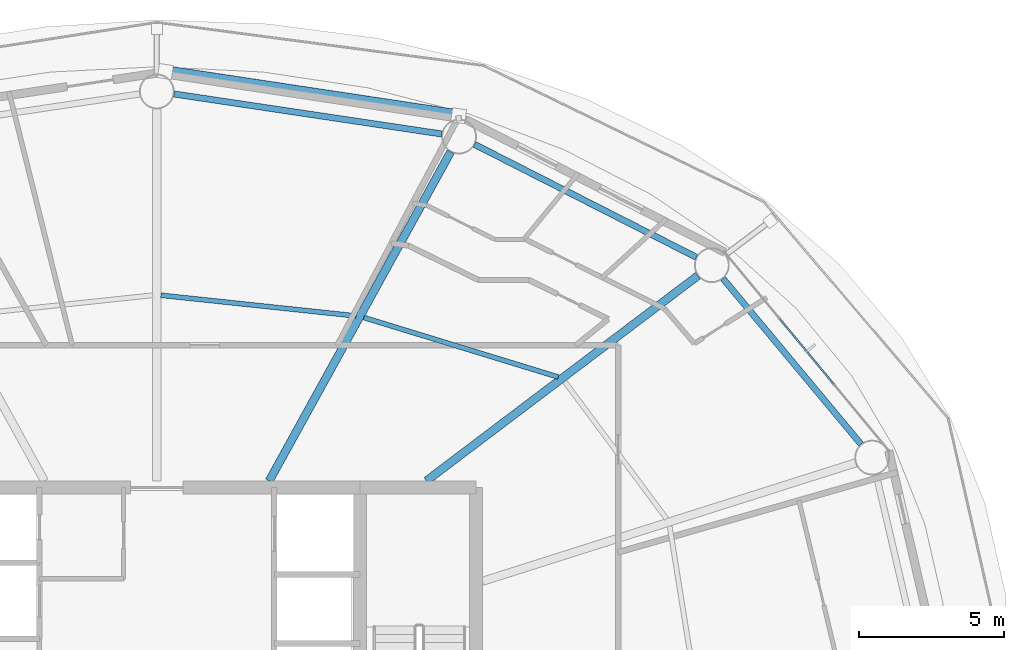
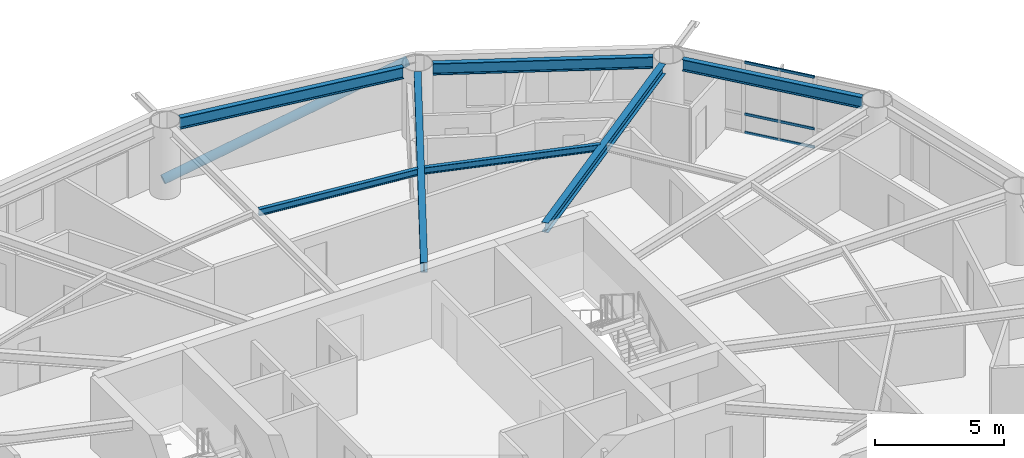
# One storey, part 14 of 27: 7 beams, 4 members, 1 element without a shape of its own.
"""IFC4 building model written with IfcOpenShell, lengths in metres."""

from ifc_helpers import new_model, si_unit, direction, frame, origin, origin_2d, place, context, subcontext, project, spatial, hollow_rectangle, hollow_circle, i_section, extrude, material, layer, layer_set, material_profile, profile_set, type_object, element, aggregate, save


model = new_model("IFC4")

# Units and contexts
model_context = context("Model", 3, precision=1e-05, world=origin(), true_north=direction((0.0, 1.0)))
body_context = subcontext(model_context, "Body", "Model", "MODEL_VIEW")
ifc_project = project(units=[si_unit("LENGTHUNIT", "METRE"), si_unit("AREAUNIT", "SQUARE_METRE"), si_unit("VOLUMEUNIT", "CUBIC_METRE"), si_unit("PLANEANGLEUNIT", "RADIAN"), si_unit("MASSUNIT", "GRAM", prefix="KILO")], contexts=[model_context])

# Site, building, storey
site_placement = place(None, origin())
site = spatial("IfcSite", under=ifc_project, at=site_placement, CompositionType="ELEMENT")
building_placement = place(site_placement, origin())
building = spatial("IfcBuilding", under=site, at=building_placement, Name="Sarneth Arch Tower", CompositionType="ELEMENT")
storey_placement = place(building_placement, frame((0.0, 0.0, 186.60009765625)))
storey = spatial("IfcBuildingStorey", under=building, at=storey_placement, Name="L47", CompositionType="ELEMENT", Elevation=186.60009765625)

# Beams
ifc_material_1 = material(Name="Steel S355", Category="steel")
ifc_material_profile_1 = material_profile(ifc_material_1, i_section(OverallWidth=0.1669921875, OverallDepth=0.31689453125, WebThickness=0.007568359375, FlangeThickness=0.01318359375, FilletRadius=0.012939453125, at=origin_2d()), Name="W310x52")
ifc_profile_set_1 = profile_set([ifc_material_profile_1], Name="Steel S355")
beam_type_1 = type_object("IfcBeamType", Name="BM-JOIST-310B", PredefinedType="JOIST", material=ifc_profile_set_1)
beam_1_placement = place(storey_placement, frame((61.84130859375, 52.602783203125, 3.221435546875), z_axis=(-0.956178669891, 0.292783796076, 0.0), x_axis=(-0.292783796076, -0.956178669891, 0.0)))
element("IfcBeam", 1, at=beam_1_placement, inside=storey, type_object=beam_type_1, Name="L47 Secondary floor joist 03", PredefinedType="JOIST", context=body_context, shape_type="SweptSolid", body=[
    extrude(i_section(OverallWidth=0.1669921875, OverallDepth=0.31689453125, WebThickness=0.007568359375, FlangeThickness=0.01318359375, FilletRadius=0.012939453125, at=origin_2d()), origin(), (0.0, 0.0, 1.0), 7.010986328125),
])
beam_2_placement = place(storey_placement, frame((54.8642578125, 54.711181640625, 3.221435546875), z_axis=(-0.994447340543, 0.105235387994, 0.0), x_axis=(-0.105235387994, -0.994447340543, 0.0)))
element("IfcBeam", 2, at=beam_2_placement, inside=storey, type_object=beam_type_1, Name="L47 Secondary floor joist 04", PredefinedType="JOIST", context=body_context, shape_type="SweptSolid", body=[
    extrude(i_section(OverallWidth=0.1669921875, OverallDepth=0.31689453125, WebThickness=0.007568359375, FlangeThickness=0.01318359375, FilletRadius=0.012939453125, at=origin_2d()), origin(), (0.0, 0.0, 1.0), 6.7626953125),
])
ifc_material_2 = material(Name="Steel S355", Category="steel")
ifc_material_profile_2 = material_profile(ifc_material_2, i_section(OverallWidth=0.280029296875, OverallDepth=0.462890625, WebThickness=0.0107421875, FlangeThickness=0.017333984375, FilletRadius=0.01806640625, at=origin_2d()), Name="W460x113")
ifc_profile_set_2 = profile_set([ifc_material_profile_2], Name="Steel S355")
beam_type_2 = type_object("IfcBeamType", Name="BM-RAD-460A", PredefinedType="BEAM", material=ifc_profile_set_2)
beam_3_placement = place(storey_placement, frame((57.29541015625, 49.02490234375, 3.1484375), z_axis=(0.797784574467, 0.602942594898, 0.0), x_axis=(-0.602942594898, 0.797784574467, 0.0)))
element("IfcBeam", 3, at=beam_3_placement, inside=storey, type_object=beam_type_2, Name="L47 Radial floor girder 03", PredefinedType="BEAM", context=body_context, shape_type="SweptSolid", body=[
    extrude(i_section(OverallWidth=0.280029296875, OverallDepth=0.462890625, WebThickness=0.0107421875, FlangeThickness=0.017333984375, FilletRadius=0.01806640625, at=origin_2d()), origin(), (0.0, 0.0, 1.0), 11.73193359375),
])
beam_4_placement = place(storey_placement, frame((51.875, 49.02490234375, 3.1484375), z_axis=(0.483010082599, 0.875614789795, 0.0), x_axis=(-0.875614789795, 0.483010082599, 0.0)))
element("IfcBeam", 4, at=beam_4_placement, inside=storey, type_object=beam_type_2, Name="L47 Radial floor girder 04", PredefinedType="BEAM", context=body_context, shape_type="SweptSolid", body=[
    extrude(i_section(OverallWidth=0.280029296875, OverallDepth=0.462890625, WebThickness=0.0107421875, FlangeThickness=0.017333984375, FilletRadius=0.01806640625, at=origin_2d()), origin(), (0.0, 0.0, 1.0), 12.954345703125),
])
ifc_material_3 = material(Name="Steel S355", Category="steel")
ifc_material_profile_3 = material_profile(ifc_material_3, i_section(OverallWidth=0.214111328125, OverallDepth=0.549072265625, WebThickness=0.0146484375, FlangeThickness=0.023681640625, FilletRadius=0.01806640625, at=origin_2d()), Name="W530x138")
ifc_profile_set_3 = profile_set([ifc_material_profile_3], Name="Steel S355")
beam_type_3 = type_object("IfcBeamType", Name="BM-RAD-530A", PredefinedType="BEAM", material=ifc_profile_set_3)
beam_5_placement = place(storey_placement, frame((72.278076171875, 50.286865234375, 3.10546875), z_axis=(-0.640161793626, 0.768240117399, 0.0), x_axis=(-0.768240117399, -0.640161793626, 0.0)))
element("IfcBeam", 5, at=beam_5_placement, inside=storey, type_object=beam_type_3, Name="L47 Perimeter spandrel beam 02", PredefinedType="BEAM", context=body_context, shape_type="SweptSolid", body=[
    extrude(i_section(OverallWidth=0.214111328125, OverallDepth=0.549072265625, WebThickness=0.0146484375, FlangeThickness=0.023681640625, FilletRadius=0.01806640625, at=origin_2d()), origin(), (0.0, 0.0, 1.0), 7.43603515625),
])
beam_6_placement = place(storey_placement, frame((66.59912109375, 56.732421875, 3.10546875), z_axis=(-0.891250372735, 0.453511601945, 0.0), x_axis=(-0.453511601945, -0.891250372735, 0.0)))
element("IfcBeam", 6, at=beam_6_placement, inside=storey, type_object=beam_type_3, Name="L47 Perimeter spandrel beam 03", PredefinedType="BEAM", context=body_context, shape_type="SweptSolid", body=[
    extrude(i_section(OverallWidth=0.214111328125, OverallDepth=0.549072265625, WebThickness=0.0146484375, FlangeThickness=0.023681640625, FilletRadius=0.01806640625, at=origin_2d()), origin(), (0.0, 0.0, 1.0), 8.5751953125),
])
beam_7_placement = place(storey_placement, frame((57.828369140625, 60.98193359375, 3.10546875), z_axis=(-0.98902783755, 0.147729267756, 0.0), x_axis=(-0.147729267756, -0.98902783755, 0.0)))
element("IfcBeam", 7, at=beam_7_placement, inside=storey, type_object=beam_type_3, Name="L47 Perimeter spandrel beam 04", PredefinedType="BEAM", context=body_context, shape_type="SweptSolid", body=[
    extrude(i_section(OverallWidth=0.214111328125, OverallDepth=0.549072265625, WebThickness=0.0146484375, FlangeThickness=0.023681640625, FilletRadius=0.01806640625, at=origin_2d()), origin(), (0.0, 0.0, 1.0), 9.33740234375),
])

# Curtain wall, members
ifc_material_4 = material(Name="Anodised aluminium Type AA25 and solar-control low-e laminated IGU", Category="aluminium")
ifc_layer = layer(ifc_material_4, 0.169921875)
ifc_layer_set = layer_set([ifc_layer], Name="Anodised aluminium Type AA25 and solar-control low-e laminated IGU")
curtain_wall_type = type_object("IfcCurtainWallType", Name="CW-RES-MID", PredefinedType="NOTDEFINED", material=ifc_layer_set)
curtain_wall_placement = place(storey_placement, origin())
curtain_wall = element("IfcCurtainWall", 8, at=curtain_wall_placement, inside=storey, type_object=curtain_wall_type, Name="L47 Unitised curtain wall facet 02", PredefinedType="NOTDEFINED")
ifc_material_5 = material(Name="Anodised Aluminium 6063-T6", Category="aluminium")
ifc_material_profile_4 = material_profile(ifc_material_5, hollow_rectangle(XDim=0.06005859375, YDim=0.1201171875, WallThickness=0.00390625, at=origin_2d()), Name="AL-TRAN-120x60x4")
ifc_profile_set_4 = profile_set([ifc_material_profile_4], Name="Anodised Aluminium 6063-T6")
member_type_1 = type_object("IfcMemberType", Name="CW-TRANSOM", PredefinedType="USERDEFINED", material=ifc_profile_set_4)
member_1_placement = place(storey_placement, frame((71.327880859375, 52.36962890625, 0.02978515625), z_axis=(-0.637329777791, 0.770591171985, 0.0), x_axis=(-0.770591171985, -0.637329777791, 0.0)))
member_1 = element("IfcMember", 9, at=member_1_placement, type_object=member_type_1, Name="CW-SYS-5 transom 2.1", ObjectType="TRANSOM", PredefinedType="USERDEFINED", context=body_context, shape_type="SweptSolid", body=[
    extrude(hollow_rectangle(XDim=0.06005859375, YDim=0.1201171875, WallThickness=0.00390625, at=origin_2d()), origin(), (0.0, 0.0, 1.0), 2.898193359375),
])
member_2_placement = place(storey_placement, frame((71.327880859375, 52.36962890625, 0.89990234375), z_axis=(-0.637329777791, 0.770591171985, 0.0), x_axis=(-0.770591171985, -0.637329777791, 0.0)))
member_2 = element("IfcMember", 10, at=member_2_placement, type_object=member_type_1, Name="CW-SYS-5 transom 2.2", ObjectType="TRANSOM", PredefinedType="USERDEFINED", context=body_context, shape_type="SweptSolid", body=[
    extrude(hollow_rectangle(XDim=0.06005859375, YDim=0.1201171875, WallThickness=0.00390625, at=origin_2d()), origin(), (0.0, 0.0, 1.0), 2.898193359375),
])
member_3_placement = place(storey_placement, frame((71.327880859375, 52.36962890625, 3.349853515625), z_axis=(-0.637329777791, 0.770591171985, 0.0), x_axis=(-0.770591171985, -0.637329777791, 0.0)))
member_3 = element("IfcMember", 11, at=member_3_placement, type_object=member_type_1, Name="CW-SYS-5 transom 2.3", ObjectType="TRANSOM", PredefinedType="USERDEFINED", context=body_context, shape_type="SweptSolid", body=[
    extrude(hollow_rectangle(XDim=0.06005859375, YDim=0.1201171875, WallThickness=0.00390625, at=origin_2d()), origin(), (0.0, 0.0, 1.0), 2.898193359375),
])
aggregate(curtain_wall, [member_1, member_2, member_3])

# Member
ifc_material_6 = material(Name="Steel S355", Category="steel")
ifc_material_profile_5 = material_profile(ifc_material_6, hollow_circle(Radius=0.202880859375, WallThickness=0.01611328125, at=origin_2d()), Name="CHS406x16")
ifc_profile_set_5 = profile_set([ifc_material_profile_5], Name="Steel S355")
member_type_2 = type_object("IfcMemberType", Name="MEM-DIAG-BR2", PredefinedType="BRACE", material=ifc_profile_set_5)
member_4_placement = place(storey_placement, frame((48.296630859375, 63.13525390625, 0.02001953125), z_axis=(0.948052912183, -0.142822782379, 0.284248708942), x_axis=(0.148967610144, 0.988842075929, 0.0)))
element("IfcMember", 12, at=member_4_placement, inside=storey, type_object=member_type_2, Name="L47 Perimeter frame diagonal 04", PredefinedType="BRACE", context=body_context, shape_type="SweptSolid", body=[
    extrude(hollow_circle(Radius=0.202880859375, WallThickness=0.01611328125, at=origin_2d()), origin(), (0.0, 0.0, 1.0), 10.66162109375),
])

save(model, "model.ifc")
